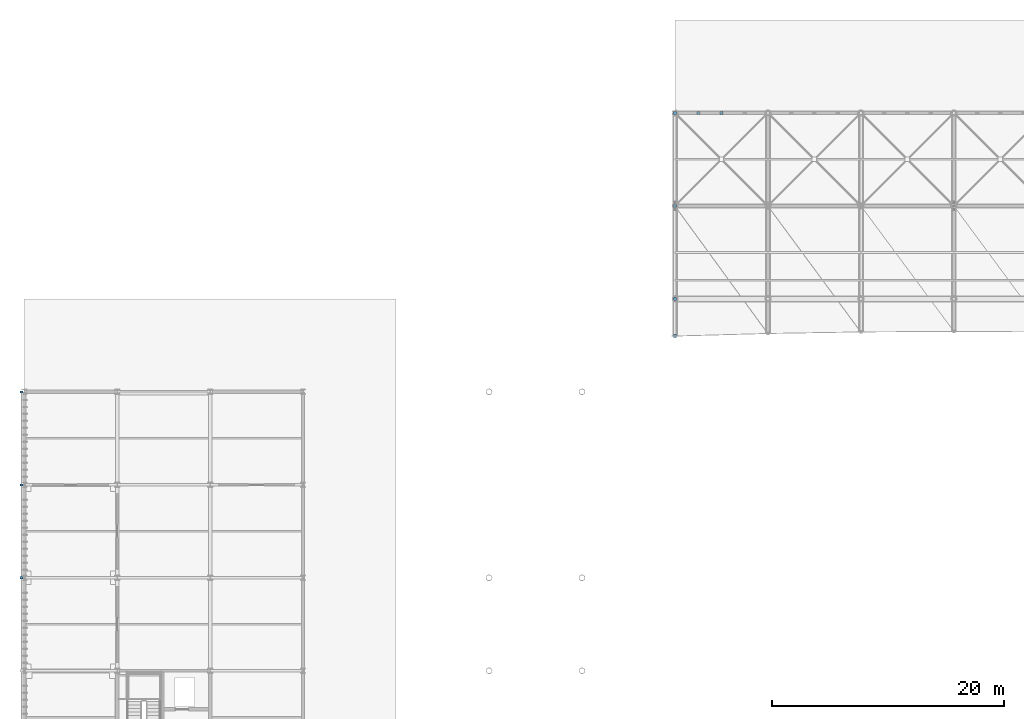
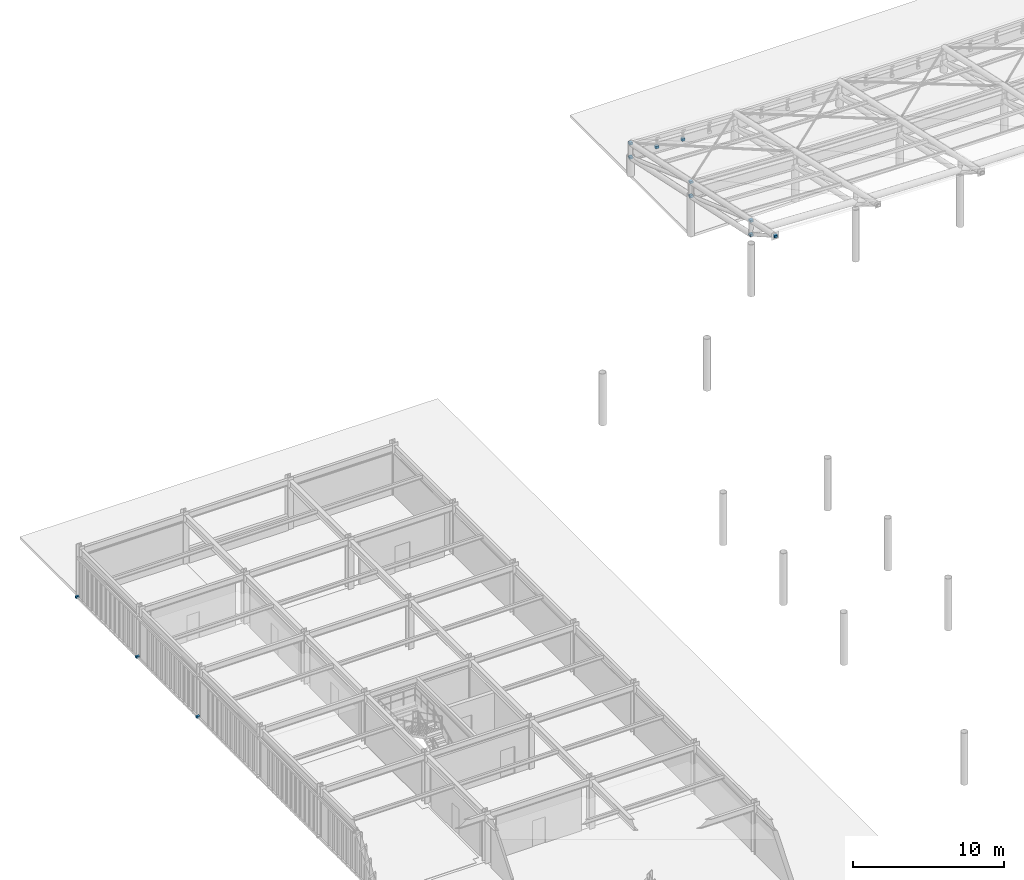
# One storey, part 47 of 54: 12 discrete accessories.
"""IFC4 building model written with IfcOpenShell, lengths in metres."""

from ifc_helpers import new_model, si_unit, direction, frame, origin, origin_2d, place, context, subcontext, project, spatial, rectangle, extrude, material, layer, layer_set, type_object, element, save


model = new_model("IFC4")

# Units and contexts
model_context = context("Model", 3, precision=1e-05, world=origin(), true_north=direction((0.0, 1.0)))
body_context = subcontext(model_context, "Body", "Model", "MODEL_VIEW")
ifc_project = project(units=[si_unit("LENGTHUNIT", "METRE"), si_unit("AREAUNIT", "SQUARE_METRE"), si_unit("VOLUMEUNIT", "CUBIC_METRE"), si_unit("PLANEANGLEUNIT", "RADIAN"), si_unit("MASSUNIT", "GRAM", prefix="KILO")], contexts=[model_context])

# Site, building, storey
site_placement = place(None, origin())
site = spatial("IfcSite", under=ifc_project, at=site_placement, CompositionType="ELEMENT")
building_placement = place(site_placement, origin())
building = spatial("IfcBuilding", under=site, at=building_placement, Name="Haebicheon Civic Stadium", CompositionType="ELEMENT")
storey_placement = place(building_placement, frame((0.0, 0.0, 22.800048828125)))
storey = spatial("IfcBuildingStorey", under=building, at=storey_placement, Name="L06", CompositionType="ELEMENT", Elevation=22.800048828125)

# Discrete accessories
ifc_material_1 = material(Name="White painted steel SM490", Category="steel")
ifc_layer_1 = layer(ifc_material_1, 0.179931640625, Name="White painted steel SM490")
ifc_layer_set_1 = layer_set([ifc_layer_1], Name="White painted steel SM490")
discrete_accessory_type_1 = type_object("IfcDiscreteAccessoryType", Name="BRK-END-PLT", PredefinedType="BRACKET", material=ifc_layer_set_1)
for number, where, z_axis, x_axis, name in (
    (1, (80.0, 160.0, 1.34716796875), (0.0, 0.0, 1.0), (1.0, 0.0, 0.0), "CAN-NORTH truss 1 node bolted end connection plate"),
    (2, (80.0, 160.0, 2.4970703125), (0.0, 0.0, 1.0), (1.0, 0.0, 0.0), "CAN-NORTH truss 1 node bolted end connection plate"),
    (3, (80.0, 152.0, 3.06689453125), (0.0, 0.0, 1.0), (1.0, 0.0, 0.0), "CAN-NORTH truss 1 node bolted end connection plate"),
    (4, (80.0, 152.0, 4.216796875), (0.0, 0.0, 1.0), (1.0, 0.0, 0.0), "CAN-NORTH truss 1 node bolted end connection plate"),
    (5, (80.0, 144.0, 4.787109375), (0.0, 0.0, 1.0), (1.0, 0.0, 0.0), "CAN-NORTH truss 1 node bolted end connection plate"),
    (6, (80.0, 144.0, 5.93701171875), (0.0, 0.0, 1.0), (1.0, 0.0, 0.0), "CAN-NORTH truss 1 node bolted end connection plate"),
    (7, (80.0, 140.800048828125, 6.625), (0.0, 0.0, 1.0), (1.0, 0.0, 0.0), "CAN-NORTH truss 1 node bolted end connection plate"),
    (8, (82.0, 160.0, 1.5048828125), (0.0, 0.0, 1.0), (1.0, 0.0, 0.0), "CAN-NORTH hanger base 1.1 bolted end connection plate"),
    (9, (84.0, 160.0, 1.4140625), (0.0, 0.0, 1.0), (1.0, 0.0, 0.0), "CAN-NORTH hanger base 1.2 bolted end connection plate"),
):
    element("IfcDiscreteAccessory", number, at=place(storey_placement, frame(where, z_axis=z_axis, x_axis=x_axis)), inside=storey, type_object=discrete_accessory_type_1, material=ifc_layer_set_1, Name=name, PredefinedType="BRACKET", context=body_context, shape_type="SweptSolid", body=[
        extrude(rectangle(XDim=0.239990234375, YDim=0.239990234375, at=origin_2d()), origin(), (0.0, 0.0, 1.0), 0.179931640625),
    ])
ifc_material_2 = material(Name="Stainless steel 316", Category="steel")
ifc_layer_2 = layer(ifc_material_2, 0.139892578125, Name="Stainless steel 316")
ifc_layer_set_2 = layer_set([ifc_layer_2], Name="Stainless steel 316")
discrete_accessory_type_2 = type_object("IfcDiscreteAccessoryType", Name="BRK-LVR-CLEAT", PredefinedType="BRACKET", material=ifc_layer_set_2)
for number, where, z_axis, x_axis, name in (
    (10, (23.756103515625, 120.0, 0.009765625), (0.0, 0.0, 1.0), (1.0, 0.0, 0.0), "SCR-WEST L06 stainless bracket cleat 9B"),
    (11, (23.756103515625, 128.0, 0.009765625), (0.0, 0.0, 1.0), (1.0, 0.0, 0.0), "SCR-WEST L06 stainless bracket cleat 10B"),
    (12, (23.756103515625, 136.0, 0.009765625), (0.0, 0.0, 1.0), (1.0, 0.0, 0.0), "SCR-WEST L06 stainless bracket cleat 11B"),
):
    element("IfcDiscreteAccessory", number, at=place(storey_placement, frame(where, z_axis=z_axis, x_axis=x_axis)), inside=storey, type_object=discrete_accessory_type_2, material=ifc_layer_set_2, Name=name, PredefinedType="BRACKET", context=body_context, shape_type="SweptSolid", body=[
        extrude(rectangle(XDim=0.239990234375, YDim=0.179931640625, at=origin_2d()), origin(), (0.0, 0.0, 1.0), 0.139892578125),
    ])

save(model, "model.ifc")
